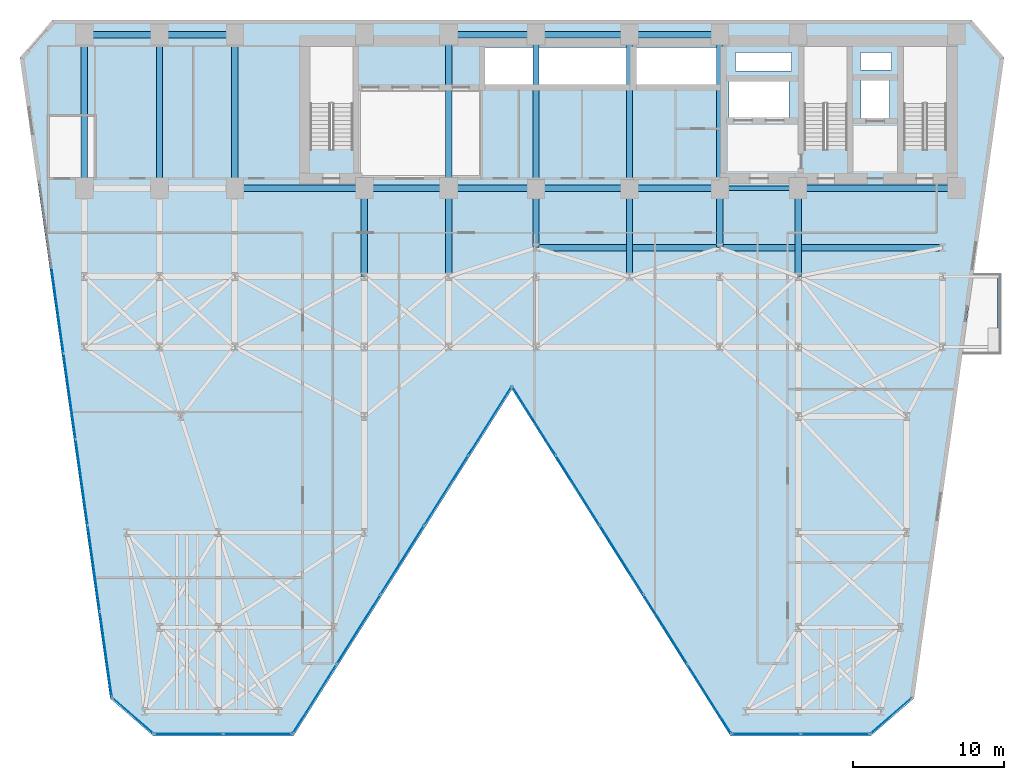
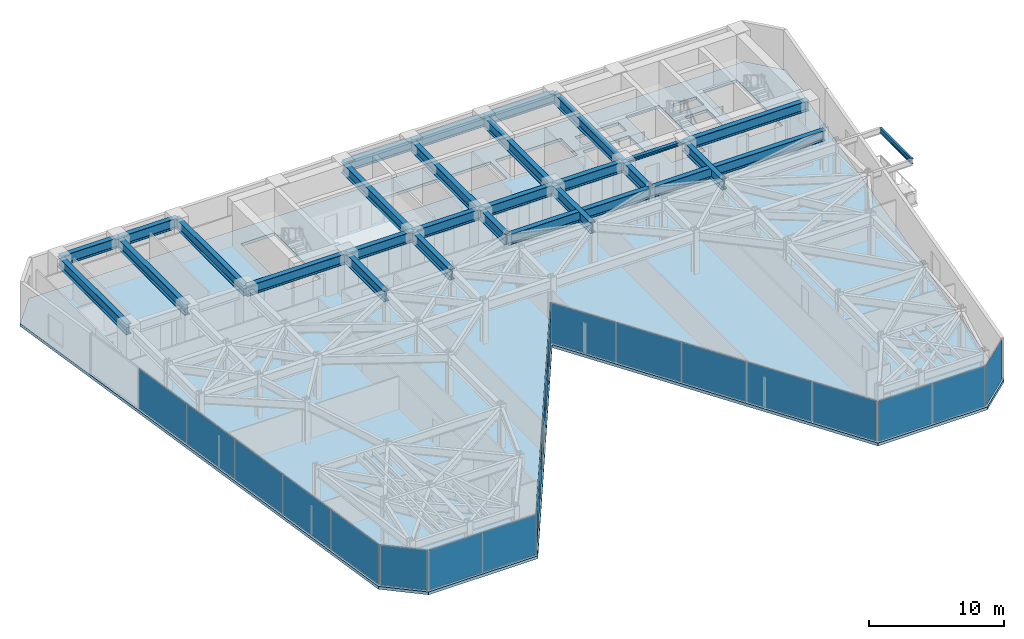
# One storey, part 18 of 24: 28 beams, 21 plates, 1 slab, 7 elements without a shape of their own.
"""IFC4 building model written with IfcOpenShell, lengths in metres."""

from ifc_helpers import new_model, si_unit, direction, frame, origin, origin_2d, place, context, subcontext, project, spatial, polyline, rectangle, i_section, outline, extrude, material, layer, layer_set, material_profile, profile_set, type_object, element, aggregate, save


model = new_model("IFC4")

# Units and contexts
model_context = context("Model", 3, precision=1e-05, world=origin(), true_north=direction((0.0, 1.0)))
body_context = subcontext(model_context, "Body", "Model", "MODEL_VIEW")
ifc_project = project(units=[si_unit("LENGTHUNIT", "METRE"), si_unit("AREAUNIT", "SQUARE_METRE"), si_unit("VOLUMEUNIT", "CUBIC_METRE"), si_unit("PLANEANGLEUNIT", "RADIAN"), si_unit("MASSUNIT", "GRAM", prefix="KILO")], contexts=[model_context])

# Site, building, storey
site_placement = place(None, origin())
site = spatial("IfcSite", under=ifc_project, at=site_placement, CompositionType="ELEMENT")
building_placement = place(site_placement, origin())
building = spatial("IfcBuilding", under=site, at=building_placement, Name="Kravanh Interchange Tower", CompositionType="ELEMENT")
storey_placement = place(building_placement, frame((0.0, 0.0, 45.5)))
storey = spatial("IfcBuildingStorey", under=building, at=storey_placement, Name="L10", CompositionType="ELEMENT", Elevation=45.5)

# Beams
ifc_material_1 = material(Name="Structural Steel S355", Category="steel")
ifc_material_profile_1 = material_profile(ifc_material_1, i_section(OverallWidth=0.41796875, OverallDepth=0.927001953125, WebThickness=0.019287109375, FlangeThickness=0.031982421875, FilletRadius=0.028076171875, at=origin_2d()), Name="W36X231")
ifc_profile_set_1 = profile_set([ifc_material_profile_1], Name="Structural Steel S355")
beam_type_1 = type_object("IfcBeamType", Name="Floor Beam W36X231 Structural Steel S355", PredefinedType="BEAM", material=ifc_profile_set_1)
beam_1_placement = place(storey_placement, frame((66.5, 37.35009765625, 3.276611328125), z_axis=(-1.0, 0.0, 0.0), x_axis=(0.0, -1.0, 0.0)))
element("IfcBeam", 1, at=beam_1_placement, inside=storey, type_object=beam_type_1, Name="L10 Primary Floor Girder 5", PredefinedType="BEAM", context=body_context, shape_type="SweptSolid", body=[
    extrude(i_section(OverallWidth=0.41796875, OverallDepth=0.927001953125, WebThickness=0.019287109375, FlangeThickness=0.031982421875, FilletRadius=0.028076171875, at=origin_2d()), origin(), (0.0, 0.0, 1.0), 10.5),
])
beam_2_placement = place(storey_placement, frame((56.0, 37.35009765625, 3.276611328125), z_axis=(0.0, -1.0, 0.0), x_axis=(1.0, 0.0, 0.0)))
element("IfcBeam", 2, at=beam_2_placement, inside=storey, type_object=beam_type_1, Name="L10 Primary Floor Girder 7", PredefinedType="BEAM", context=body_context, shape_type="SweptSolid", body=[
    extrude(i_section(OverallWidth=0.41796875, OverallDepth=0.927001953125, WebThickness=0.019287109375, FlangeThickness=0.031982421875, FilletRadius=0.028076171875, at=origin_2d()), origin(), (0.0, 0.0, 1.0), 5.85009765625),
])
beam_3_placement = place(storey_placement, frame((50.800048828125, 47.550048828125, 3.276611328125), z_axis=(-1.0, 0.0, 0.0), x_axis=(0.0, -1.0, 0.0)))
element("IfcBeam", 3, at=beam_3_placement, inside=storey, type_object=beam_type_1, Name="L10 Primary Floor Girder 8", PredefinedType="BEAM", context=body_context, shape_type="SweptSolid", body=[
    extrude(i_section(OverallWidth=0.41796875, OverallDepth=0.927001953125, WebThickness=0.019287109375, FlangeThickness=0.031982421875, FilletRadius=0.028076171875, at=origin_2d()), origin(), (0.0, 0.0, 1.0), 6.0),
])
beam_4_placement = place(storey_placement, frame((50.800048828125, 47.550048828125, 3.276611328125), z_axis=(0.0, -1.0, 0.0), x_axis=(1.0, 0.0, 0.0)))
element("IfcBeam", 4, at=beam_4_placement, inside=storey, type_object=beam_type_1, Name="L10 Primary Floor Girder 9", PredefinedType="BEAM", context=body_context, shape_type="SweptSolid", body=[
    extrude(i_section(OverallWidth=0.41796875, OverallDepth=0.927001953125, WebThickness=0.019287109375, FlangeThickness=0.031982421875, FilletRadius=0.028076171875, at=origin_2d()), origin(), (0.0, 0.0, 1.0), 10.199951171875),
])
beam_5_placement = place(storey_placement, frame((50.800048828125, 37.35009765625, 3.276611328125), z_axis=(0.0, -1.0, 0.0), x_axis=(1.0, 0.0, 0.0)))
element("IfcBeam", 5, at=beam_5_placement, inside=storey, type_object=beam_type_1, Name="L10 Primary Floor Girder 10", PredefinedType="BEAM", context=body_context, shape_type="SweptSolid", body=[
    extrude(i_section(OverallWidth=0.41796875, OverallDepth=0.927001953125, WebThickness=0.019287109375, FlangeThickness=0.031982421875, FilletRadius=0.028076171875, at=origin_2d()), origin(), (0.0, 0.0, 1.0), 3.9501953125),
])
beam_6_placement = place(storey_placement, frame((50.800048828125, 37.35009765625, 3.276611328125), z_axis=(-1.0, 0.0, 0.0), x_axis=(0.0, -1.0, 0.0)))
element("IfcBeam", 6, at=beam_6_placement, inside=storey, type_object=beam_type_1, Name="L10 Primary Floor Girder 11", PredefinedType="BEAM", context=body_context, shape_type="SweptSolid", body=[
    extrude(i_section(OverallWidth=0.41796875, OverallDepth=0.927001953125, WebThickness=0.019287109375, FlangeThickness=0.031982421875, FilletRadius=0.028076171875, at=origin_2d()), origin(), (0.0, 0.0, 1.0), 6.0),
])
beam_7_placement = place(storey_placement, frame((44.800048828125, 37.35009765625, 3.276611328125), z_axis=(0.0, -1.0, 0.0), x_axis=(1.0, 0.0, 0.0)))
element("IfcBeam", 7, at=beam_7_placement, inside=storey, type_object=beam_type_1, Name="L10 Primary Floor Girder 12", PredefinedType="BEAM", context=body_context, shape_type="SweptSolid", body=[
    extrude(i_section(OverallWidth=0.41796875, OverallDepth=0.927001953125, WebThickness=0.019287109375, FlangeThickness=0.031982421875, FilletRadius=0.028076171875, at=origin_2d()), origin(), (0.0, 0.0, 1.0), 5.85009765625),
])
beam_8_placement = place(storey_placement, frame((44.800048828125, 37.35009765625, 3.276611328125), z_axis=(-1.0, 0.0, 0.0), x_axis=(0.0, -1.0, 0.0)))
element("IfcBeam", 8, at=beam_8_placement, inside=storey, type_object=beam_type_1, Name="L10 Primary Floor Girder 13", PredefinedType="BEAM", context=body_context, shape_type="SweptSolid", body=[
    extrude(i_section(OverallWidth=0.41796875, OverallDepth=0.927001953125, WebThickness=0.019287109375, FlangeThickness=0.031982421875, FilletRadius=0.028076171875, at=origin_2d()), origin(), (0.0, 0.0, 1.0), 6.199951171875),
])
beam_9_placement = place(storey_placement, frame((44.800048828125, 37.35009765625, 3.276611328125), z_axis=(0.0, 1.0, 0.0), x_axis=(-1.0, 0.0, 0.0)))
element("IfcBeam", 9, at=beam_9_placement, inside=storey, type_object=beam_type_1, Name="L10 Primary Floor Girder 14", PredefinedType="BEAM", context=body_context, shape_type="SweptSolid", body=[
    extrude(i_section(OverallWidth=0.41796875, OverallDepth=0.927001953125, WebThickness=0.019287109375, FlangeThickness=0.031982421875, FilletRadius=0.028076171875, at=origin_2d()), origin(), (0.0, 0.0, 1.0), 10.199951171875),
])
beam_10_placement = place(storey_placement, frame((44.800048828125, 47.550048828125, 3.276611328125), z_axis=(-1.0, 0.0, 0.0), x_axis=(0.0, -1.0, 0.0)))
element("IfcBeam", 10, at=beam_10_placement, inside=storey, type_object=beam_type_1, Name="L10 Primary Floor Girder 15", PredefinedType="BEAM", context=body_context, shape_type="SweptSolid", body=[
    extrude(i_section(OverallWidth=0.41796875, OverallDepth=0.927001953125, WebThickness=0.019287109375, FlangeThickness=0.031982421875, FilletRadius=0.028076171875, at=origin_2d()), origin(), (0.0, 0.0, 1.0), 6.199951171875),
])
beam_11_placement = place(storey_placement, frame((38.60009765625, 37.35009765625, 3.276611328125), z_axis=(0.0, -1.0, 0.0), x_axis=(1.0, 0.0, 0.0)))
element("IfcBeam", 11, at=beam_11_placement, inside=storey, type_object=beam_type_1, Name="L10 Primary Floor Girder 16", PredefinedType="BEAM", context=body_context, shape_type="SweptSolid", body=[
    extrude(i_section(OverallWidth=0.41796875, OverallDepth=0.927001953125, WebThickness=0.019287109375, FlangeThickness=0.031982421875, FilletRadius=0.028076171875, at=origin_2d()), origin(), (0.0, 0.0, 1.0), 3.9501953125),
])
beam_12_placement = place(storey_placement, frame((38.60009765625, 37.35009765625, 3.276611328125), z_axis=(-1.0, 0.0, 0.0), x_axis=(0.0, -1.0, 0.0)))
element("IfcBeam", 12, at=beam_12_placement, inside=storey, type_object=beam_type_1, Name="L10 Primary Floor Girder 17", PredefinedType="BEAM", context=body_context, shape_type="SweptSolid", body=[
    extrude(i_section(OverallWidth=0.41796875, OverallDepth=0.927001953125, WebThickness=0.019287109375, FlangeThickness=0.031982421875, FilletRadius=0.028076171875, at=origin_2d()), origin(), (0.0, 0.0, 1.0), 5.800048828125),
])
beam_13_placement = place(storey_placement, frame((38.60009765625, 37.35009765625, 3.276611328125), z_axis=(0.0, 1.0, 0.0), x_axis=(-1.0, 0.0, 0.0)))
element("IfcBeam", 13, at=beam_13_placement, inside=storey, type_object=beam_type_1, Name="L10 Primary Floor Girder 18", PredefinedType="BEAM", context=body_context, shape_type="SweptSolid", body=[
    extrude(i_section(OverallWidth=0.41796875, OverallDepth=0.927001953125, WebThickness=0.019287109375, FlangeThickness=0.031982421875, FilletRadius=0.028076171875, at=origin_2d()), origin(), (0.0, 0.0, 1.0), 10.199951171875),
])
beam_14_placement = place(storey_placement, frame((38.60009765625, 47.550048828125, 3.276611328125), z_axis=(-1.0, 0.0, 0.0), x_axis=(0.0, -1.0, 0.0)))
element("IfcBeam", 14, at=beam_14_placement, inside=storey, type_object=beam_type_1, Name="L10 Primary Floor Girder 19", PredefinedType="BEAM", context=body_context, shape_type="SweptSolid", body=[
    extrude(i_section(OverallWidth=0.41796875, OverallDepth=0.927001953125, WebThickness=0.019287109375, FlangeThickness=0.031982421875, FilletRadius=0.028076171875, at=origin_2d()), origin(), (0.0, 0.0, 1.0), 5.800048828125),
])
beam_15_placement = place(storey_placement, frame((32.800048828125, 37.35009765625, 3.276611328125), z_axis=(-1.0, 0.0, 0.0), x_axis=(0.0, -1.0, 0.0)))
element("IfcBeam", 15, at=beam_15_placement, inside=storey, type_object=beam_type_1, Name="L10 Primary Floor Girder 20", PredefinedType="BEAM", context=body_context, shape_type="SweptSolid", body=[
    extrude(i_section(OverallWidth=0.41796875, OverallDepth=0.927001953125, WebThickness=0.019287109375, FlangeThickness=0.031982421875, FilletRadius=0.028076171875, at=origin_2d()), origin(), (0.0, 0.0, 1.0), 5.60009765625),
])
beam_16_placement = place(storey_placement, frame((32.800048828125, 37.35009765625, 3.276611328125), z_axis=(0.0, -1.0, 0.0), x_axis=(1.0, 0.0, 0.0)))
element("IfcBeam", 16, at=beam_16_placement, inside=storey, type_object=beam_type_1, Name="L10 Primary Floor Girder 21", PredefinedType="BEAM", context=body_context, shape_type="SweptSolid", body=[
    extrude(i_section(OverallWidth=0.41796875, OverallDepth=0.927001953125, WebThickness=0.019287109375, FlangeThickness=0.031982421875, FilletRadius=0.028076171875, at=origin_2d()), origin(), (0.0, 0.0, 1.0), 5.85009765625),
])
beam_17_placement = place(storey_placement, frame((32.800048828125, 37.35009765625, 3.276611328125), z_axis=(0.0, 1.0, 0.0), x_axis=(-1.0, 0.0, 0.0)))
element("IfcBeam", 17, at=beam_17_placement, inside=storey, type_object=beam_type_1, Name="L10 Primary Floor Girder 22", PredefinedType="BEAM", context=body_context, shape_type="SweptSolid", body=[
    extrude(i_section(OverallWidth=0.41796875, OverallDepth=0.927001953125, WebThickness=0.019287109375, FlangeThickness=0.031982421875, FilletRadius=0.028076171875, at=origin_2d()), origin(), (0.0, 0.0, 1.0), 10.199951171875),
])
beam_18_placement = place(storey_placement, frame((27.199951171875, 37.35009765625, 3.276611328125), z_axis=(0.0, -1.0, 0.0), x_axis=(1.0, 0.0, 0.0)))
element("IfcBeam", 18, at=beam_18_placement, inside=storey, type_object=beam_type_1, Name="L10 Primary Floor Girder 24", PredefinedType="BEAM", context=body_context, shape_type="SweptSolid", body=[
    extrude(i_section(OverallWidth=0.41796875, OverallDepth=0.927001953125, WebThickness=0.019287109375, FlangeThickness=0.031982421875, FilletRadius=0.028076171875, at=origin_2d()), origin(), (0.0, 0.0, 1.0), 5.85009765625),
])
beam_19_placement = place(storey_placement, frame((27.199951171875, 37.35009765625, 3.276611328125), z_axis=(-1.0, 0.0, 0.0), x_axis=(0.0, -1.0, 0.0)))
element("IfcBeam", 19, at=beam_19_placement, inside=storey, type_object=beam_type_1, Name="L10 Primary Floor Girder 25", PredefinedType="BEAM", context=body_context, shape_type="SweptSolid", body=[
    extrude(i_section(OverallWidth=0.41796875, OverallDepth=0.927001953125, WebThickness=0.019287109375, FlangeThickness=0.031982421875, FilletRadius=0.028076171875, at=origin_2d()), origin(), (0.0, 0.0, 1.0), 8.599853515625),
])
beam_20_placement = place(storey_placement, frame((18.60009765625, 37.35009765625, 3.276611328125), z_axis=(0.0, 1.0, 0.0), x_axis=(-1.0, 0.0, 0.0)))
element("IfcBeam", 20, at=beam_20_placement, inside=storey, type_object=beam_type_1, Name="L10 Primary Floor Girder 30", PredefinedType="BEAM", context=body_context, shape_type="SweptSolid", body=[
    extrude(i_section(OverallWidth=0.41796875, OverallDepth=0.927001953125, WebThickness=0.019287109375, FlangeThickness=0.031982421875, FilletRadius=0.028076171875, at=origin_2d()), origin(), (0.0, 0.0, 1.0), 10.199951171875),
])
beam_21_placement = place(storey_placement, frame((18.60009765625, 47.550048828125, 3.276611328125), z_axis=(-1.0, 0.0, 0.0), x_axis=(0.0, -1.0, 0.0)))
element("IfcBeam", 21, at=beam_21_placement, inside=storey, type_object=beam_type_1, Name="L10 Primary Floor Girder 31", PredefinedType="BEAM", context=body_context, shape_type="SweptSolid", body=[
    extrude(i_section(OverallWidth=0.41796875, OverallDepth=0.927001953125, WebThickness=0.019287109375, FlangeThickness=0.031982421875, FilletRadius=0.028076171875, at=origin_2d()), origin(), (0.0, 0.0, 1.0), 5.0),
])
beam_22_placement = place(storey_placement, frame((13.60009765625, 37.35009765625, 3.276611328125), z_axis=(0.0, 1.0, 0.0), x_axis=(-1.0, 0.0, 0.0)))
element("IfcBeam", 22, at=beam_22_placement, inside=storey, type_object=beam_type_1, Name="L10 Primary Floor Girder 34", PredefinedType="BEAM", context=body_context, shape_type="SweptSolid", body=[
    extrude(i_section(OverallWidth=0.41796875, OverallDepth=0.927001953125, WebThickness=0.019287109375, FlangeThickness=0.031982421875, FilletRadius=0.028076171875, at=origin_2d()), origin(), (0.0, 0.0, 1.0), 10.199951171875),
])
beam_23_placement = place(storey_placement, frame((13.60009765625, 47.550048828125, 3.276611328125), z_axis=(-1.0, 0.0, 0.0), x_axis=(0.0, -1.0, 0.0)))
element("IfcBeam", 23, at=beam_23_placement, inside=storey, type_object=beam_type_1, Name="L10 Primary Floor Girder 35", PredefinedType="BEAM", context=body_context, shape_type="SweptSolid", body=[
    extrude(i_section(OverallWidth=0.41796875, OverallDepth=0.927001953125, WebThickness=0.019287109375, FlangeThickness=0.031982421875, FilletRadius=0.028076171875, at=origin_2d()), origin(), (0.0, 0.0, 1.0), 5.0),
])
beam_24_placement = place(storey_placement, frame((8.60009765625, 37.35009765625, 3.276611328125), z_axis=(0.0, 1.0, 0.0), x_axis=(-1.0, 0.0, 0.0)))
element("IfcBeam", 24, at=beam_24_placement, inside=storey, type_object=beam_type_1, Name="L10 Primary Floor Girder 37", PredefinedType="BEAM", context=body_context, shape_type="SweptSolid", body=[
    extrude(i_section(OverallWidth=0.41796875, OverallDepth=0.927001953125, WebThickness=0.019287109375, FlangeThickness=0.031982421875, FilletRadius=0.028076171875, at=origin_2d()), origin(), (0.0, 0.0, 1.0), 10.199951171875),
])
beam_25_placement = place(storey_placement, frame((38.60009765625, 33.39990234375, 3.276611328125), z_axis=(1.0, 0.0, 0.0), x_axis=(0.0, 1.0, 0.0)))
element("IfcBeam", 25, at=beam_25_placement, inside=storey, type_object=beam_type_1, Name="L10 Primary Floor Girder 145", PredefinedType="BEAM", context=body_context, shape_type="SweptSolid", body=[
    extrude(i_section(OverallWidth=0.41796875, OverallDepth=0.927001953125, WebThickness=0.019287109375, FlangeThickness=0.031982421875, FilletRadius=0.028076171875, at=origin_2d()), origin(), (0.0, 0.0, 1.0), 12.199951171875),
])
beam_26_placement = place(storey_placement, frame((50.800048828125, 33.39990234375, 3.276611328125), z_axis=(1.0, 0.0, 0.0), x_axis=(0.0, 1.0, 0.0)))
element("IfcBeam", 26, at=beam_26_placement, inside=storey, type_object=beam_type_1, Name="L10 Primary Floor Girder 146", PredefinedType="BEAM", context=body_context, shape_type="SweptSolid", body=[
    extrude(i_section(OverallWidth=0.41796875, OverallDepth=0.927001953125, WebThickness=0.019287109375, FlangeThickness=0.031982421875, FilletRadius=0.028076171875, at=origin_2d()), origin(), (0.0, 0.0, 1.0), 14.800048828125),
])
ifc_material_2 = material(Name="Structural Steel S355", Category="steel")
ifc_material_profile_2 = material_profile(ifc_material_2, i_section(OverallWidth=0.18994140625, OverallDepth=0.45703125, WebThickness=0.009033203125, FlangeThickness=0.014404296875, FilletRadius=0.01806640625, at=origin_2d()), Name="W18X50")
ifc_profile_set_2 = profile_set([ifc_material_profile_2], Name="Structural Steel S355")
beam_type_2 = type_object("IfcBeamType", Name="Floor Joist W18X50 Structural Steel S355", PredefinedType="JOIST", material=ifc_profile_set_2)
beam_27_placement = place(storey_placement, frame((69.330078125, 26.800048828125, 3.511474609375), z_axis=(0.0, 1.0, 0.0), x_axis=(-1.0, 0.0, 0.0)))
element("IfcBeam", 27, at=beam_27_placement, inside=storey, type_object=beam_type_2, Name="L10 Balcony Edge Tie Beam E", PredefinedType="JOIST", context=body_context, shape_type="SweptSolid", body=[
    extrude(i_section(OverallWidth=0.18994140625, OverallDepth=0.45703125, WebThickness=0.009033203125, FlangeThickness=0.014404296875, FilletRadius=0.01806640625, at=origin_2d()), origin(), (0.0, 0.0, 1.0), 4.699951171875),
])
ifc_material_3 = material(Name="Structural Steel S355", Category="steel")
ifc_material_profile_3 = material_profile(ifc_material_3, i_section(OverallWidth=0.304931640625, OverallDepth=0.306884765625, WebThickness=0.010009765625, FlangeThickness=0.015380859375, FilletRadius=0.014892578125, at=origin_2d()), Name="W12X65")
ifc_profile_set_3 = profile_set([ifc_material_profile_3], Name="Structural Steel S355")
beam_type_3 = type_object("IfcBeamType", Name="Floor Lintel W12X65 Structural Steel S355", PredefinedType="LINTEL", material=ifc_profile_set_3)
beam_28_placement = place(storey_placement, frame((50.800048828125, 37.35009765625, 3.58642578125), z_axis=(1.0, 0.0, 0.0), x_axis=(0.0, 1.0, 0.0)))
element("IfcBeam", 28, at=beam_28_placement, inside=storey, type_object=beam_type_3, Name="L10 Core Coupling Lintel 1", PredefinedType="LINTEL", context=body_context, shape_type="SweptSolid", body=[
    extrude(i_section(OverallWidth=0.304931640625, OverallDepth=0.306884765625, WebThickness=0.010009765625, FlangeThickness=0.015380859375, FilletRadius=0.014892578125, at=origin_2d()), origin(), (0.0, 0.0, 1.0), 5.199951171875),
])

# Slab
ifc_material_4 = material(Name="Concrete C50/60", Category="concrete")
ifc_layer_1 = layer(ifc_material_4, 0.260009765625)
ifc_layer_set_1 = layer_set([ifc_layer_1], Name="Composite Floor Slab Concrete C50/60 260mm")
slab_type = type_object("IfcSlabType", Name="Composite Floor Slab Concrete C50/60 260mm", PredefinedType="FLOOR", material=ifc_layer_set_1)
slab_placement = place(storey_placement, frame((0.0, 0.0, -0.260009765625)))
element("IfcSlab", 29, at=slab_placement, inside=storey, type_object=slab_type, Name="L10 Structural Floor Slab", PredefinedType="FLOOR", context=body_context, shape_type="SweptSolid", body=[
    extrude(outline(polyline([(10.327880859375, 3.4755859375), (13.17578125, 1.0), (22.5, 1.0), (37.0, 24.0), (51.5, 1.0), (60.82421875, 1.0), (63.672119140625, 3.4755859375), (69.652099609375, 46.0244140625), (67.5, 48.5), (6.5, 48.5), (4.347900390625, 46.0244140625), (10.327880859375, 3.4755859375)]), holes=[polyline([(65.85009765625, 39.925048828125), (65.85009765625, 46.75), (63.0, 46.75), (63.0, 39.925048828125), (65.85009765625, 39.925048828125)]), polyline([(59.25, 39.925048828125), (59.25, 46.75), (56.39990234375, 46.75), (56.39990234375, 39.925048828125), (59.25, 39.925048828125)]), polyline([(26.449951171875, 39.925048828125), (26.449951171875, 46.75), (23.60009765625, 46.75), (23.60009765625, 39.925048828125), (26.449951171875, 39.925048828125)]), polyline([(35.179931640625, 44.219970703125), (44.840087890625, 44.219970703125), (44.840087890625, 46.699951171875), (35.179931640625, 46.699951171875), (35.179931640625, 44.219970703125)]), polyline([(45.239990234375, 44.219970703125), (50.840087890625, 44.219970703125), (50.840087890625, 46.699951171875), (45.239990234375, 46.699951171875), (45.239990234375, 44.219970703125)]), polyline([(51.419921875, 42.02001953125), (55.3798828125, 42.02001953125), (55.3798828125, 44.47998046875), (51.419921875, 44.47998046875), (51.419921875, 42.02001953125)]), polyline([(60.179931640625, 41.97998046875), (62.06005859375, 41.97998046875), (62.06005859375, 44.52001953125), (60.179931640625, 44.52001953125), (60.179931640625, 41.97998046875)]), polyline([(60.14990234375, 45.199951171875), (62.199951171875, 45.199951171875), (62.199951171875, 46.35009765625), (60.14990234375, 46.35009765625), (60.14990234375, 45.199951171875)]), polyline([(51.85009765625, 45.14990234375), (55.550048828125, 45.14990234375), (55.550048828125, 46.35009765625), (51.85009765625, 46.35009765625), (51.85009765625, 45.14990234375)])]), origin(), (0.0, 0.0, 1.0), 0.260009765625),
])

# Curtain wall, plates
ifc_material_5 = material(Name="Anodised Bronze Aluminium", Category="aluminium")
ifc_layer_2 = layer(ifc_material_5, 0.179931640625)
ifc_layer_set_2 = layer_set([ifc_layer_2], Name="Unitised Curtain Wall System CW-Z1 Lower Office")
curtain_wall_type = type_object("IfcCurtainWallType", Name="Unitised Curtain Wall System CW-Z1 Lower Office", PredefinedType="NOTDEFINED", material=ifc_layer_set_2)
curtain_wall_1_placement = place(storey_placement, origin())
curtain_wall_1 = element("IfcCurtainWall", 30, at=curtain_wall_1_placement, inside=storey, type_object=curtain_wall_type, Name="L10 Unitised Curtain Wall CW-L10-01", PredefinedType="NOTDEFINED")
ifc_material_6 = material(Name="Low-E Laminated Architectural Glass", Category="glass")
ifc_layer_3 = layer(ifc_material_6, 0.028076171875)
ifc_layer_set_3 = layer_set([ifc_layer_3], Name="Solar-Control Double Glazing 28mm")
plate_type = type_object("IfcPlateType", Name="Solar-Control Double Glazing 28mm", PredefinedType="CURTAIN_PANEL", material=ifc_layer_set_3)
plate_1_placement = place(storey_placement, frame((10.03662109375, 6.409423828125, 0.06005859375), z_axis=(0.0, 0.0, 1.0), x_axis=(-0.139176538065, 0.990267585682, 0.0)))
plate_1 = element("IfcPlate", 31, at=plate_1_placement, type_object=plate_type, Name="CW-Z1 panel 1.1", PredefinedType="CURTAIN_PANEL", context=body_context, shape_type="SweptSolid", body=[
    extrude(rectangle(XDim=5.66162109375, YDim=0.028076171875, at=origin_2d()), origin(), (0.0, 0.0, 1.0), 3.6201171875),
])
plate_2_placement = place(storey_placement, frame((9.236572265625, 12.1025390625, 0.06005859375), z_axis=(0.0, 0.0, 1.0), x_axis=(-0.139176538065, 0.990267585682, 0.0)))
plate_2 = element("IfcPlate", 32, at=plate_2_placement, type_object=plate_type, Name="CW-Z1 panel 2.1", PredefinedType="CURTAIN_PANEL", context=body_context, shape_type="SweptSolid", body=[
    extrude(rectangle(XDim=5.69677734375, YDim=0.028076171875, at=origin_2d()), origin(), (0.0, 0.0, 1.0), 3.6201171875),
])
plate_3_placement = place(storey_placement, frame((8.433837890625, 17.813232421875, 0.06005859375), z_axis=(0.0, 0.0, 1.0), x_axis=(-0.139176538065, 0.990267585682, 0.0)))
plate_3 = element("IfcPlate", 33, at=plate_3_placement, type_object=plate_type, Name="CW-Z1 panel 3.1", PredefinedType="CURTAIN_PANEL", context=body_context, shape_type="SweptSolid", body=[
    extrude(rectangle(XDim=5.69677734375, YDim=0.028076171875, at=origin_2d()), origin(), (0.0, 0.0, 1.0), 3.6201171875),
])
plate_4_placement = place(storey_placement, frame((7.63134765625, 23.523681640625, 0.06005859375), z_axis=(0.0, 0.0, 1.0), x_axis=(-0.139176538065, 0.990267585682, 0.0)))
plate_4 = element("IfcPlate", 34, at=plate_4_placement, type_object=plate_type, Name="CW-Z1 panel 4.1", PredefinedType="CURTAIN_PANEL", context=body_context, shape_type="SweptSolid", body=[
    extrude(rectangle(XDim=5.69677734375, YDim=0.028076171875, at=origin_2d()), origin(), (0.0, 0.0, 1.0), 3.6201171875),
])
plate_5_placement = place(storey_placement, frame((6.828857421875, 29.234130859375, 0.06005859375), z_axis=(0.0, 0.0, 1.0), x_axis=(-0.139176538065, 0.990267585682, 0.0)))
plate_5 = element("IfcPlate", 35, at=plate_5_placement, type_object=plate_type, Name="CW-Z1 panel 5.1", PredefinedType="CURTAIN_PANEL", context=body_context, shape_type="SweptSolid", body=[
    extrude(rectangle(XDim=5.69677734375, YDim=0.028076171875, at=origin_2d()), origin(), (0.0, 0.0, 1.0), 3.6201171875),
])
aggregate(curtain_wall_1, [plate_1, plate_2, plate_3, plate_4, plate_5])

# Curtain wall, plate
curtain_wall_2_placement = place(storey_placement, origin())
curtain_wall_2 = element("IfcCurtainWall", 36, at=curtain_wall_2_placement, inside=storey, type_object=curtain_wall_type, Name="L10 Unitised Curtain Wall CW-L10-02", PredefinedType="NOTDEFINED")
plate_6_placement = place(storey_placement, frame((62.16943359375, 2.328369140625, 0.06005859375), z_axis=(0.0, 0.0, 1.0), x_axis=(-0.754708368999, -0.656060422341, 0.0)))
plate_6 = element("IfcPlate", 37, at=plate_6_placement, type_object=plate_type, Name="CW-Z1 panel 1.1", PredefinedType="CURTAIN_PANEL", context=body_context, shape_type="SweptSolid", body=[
    extrude(rectangle(XDim=3.543701171875, YDim=0.028076171875, at=origin_2d()), origin(), (0.0, 0.0, 1.0), 3.6201171875),
])
aggregate(curtain_wall_2, [plate_6])

# Curtain wall, plates
curtain_wall_3_placement = place(storey_placement, origin())
curtain_wall_3 = element("IfcCurtainWall", 38, at=curtain_wall_3_placement, inside=storey, type_object=curtain_wall_type, Name="L10 Unitised Curtain Wall CW-L10-03", PredefinedType="NOTDEFINED")
plate_7_placement = place(storey_placement, frame((58.45849609375, 1.1201171875, 0.06005859375), z_axis=(0.0, 0.0, 1.0), x_axis=(-1.0, 0.0, 0.0)))
plate_7 = element("IfcPlate", 39, at=plate_7_placement, type_object=plate_type, Name="CW-Z1 panel 1.1", PredefinedType="CURTAIN_PANEL", context=body_context, shape_type="SweptSolid", body=[
    extrude(rectangle(XDim=4.501708984375, YDim=0.028076171875, at=origin_2d()), origin(), (0.0, 0.0, 1.0), 3.6201171875),
])
plate_8_placement = place(storey_placement, frame((53.886962890625, 1.1201171875, 0.06005859375), z_axis=(0.0, 0.0, 1.0), x_axis=(-1.0, 0.0, 0.0)))
plate_8 = element("IfcPlate", 40, at=plate_8_placement, type_object=plate_type, Name="CW-Z1 panel 2.1", PredefinedType="CURTAIN_PANEL", context=body_context, shape_type="SweptSolid", body=[
    extrude(rectangle(XDim=4.501708984375, YDim=0.028076171875, at=origin_2d()), origin(), (0.0, 0.0, 1.0), 3.6201171875),
])
aggregate(curtain_wall_3, [plate_7, plate_8])

curtain_wall_4_placement = place(storey_placement, origin())
curtain_wall_4 = element("IfcCurtainWall", 41, at=curtain_wall_4_placement, inside=storey, type_object=curtain_wall_type, Name="L10 Unitised Curtain Wall CW-L10-04", PredefinedType="NOTDEFINED")
plate_9_placement = place(storey_placement, frame((50.100341796875, 3.4453125, 0.06005859375), z_axis=(0.0, 0.0, 1.0), x_axis=(-0.53330103728, 0.845925530786, 0.0)))
plate_9 = element("IfcPlate", 42, at=plate_9_placement, type_object=plate_type, Name="CW-Z1 panel 1.1", PredefinedType="CURTAIN_PANEL", context=body_context, shape_type="SweptSolid", body=[
    extrude(rectangle(XDim=5.357666015625, YDim=0.028076171875, at=origin_2d()), origin(), (0.0, 0.0, 1.0), 3.6201171875),
])
plate_10_placement = place(storey_placement, frame((47.1962890625, 8.051513671875, 0.06005859375), z_axis=(0.0, 0.0, 1.0), x_axis=(-0.53330103728, 0.845925530786, 0.0)))
plate_10 = element("IfcPlate", 43, at=plate_10_placement, type_object=plate_type, Name="CW-Z1 panel 2.1", PredefinedType="CURTAIN_PANEL", context=body_context, shape_type="SweptSolid", body=[
    extrude(rectangle(XDim=5.392578125, YDim=0.028076171875, at=origin_2d()), origin(), (0.0, 0.0, 1.0), 3.6201171875),
])
plate_11_placement = place(storey_placement, frame((44.283203125, 12.672607421875, 0.06005859375), z_axis=(0.0, 0.0, 1.0), x_axis=(-0.53330103728, 0.845925530786, 0.0)))
plate_11 = element("IfcPlate", 44, at=plate_11_placement, type_object=plate_type, Name="CW-Z1 panel 3.1", PredefinedType="CURTAIN_PANEL", context=body_context, shape_type="SweptSolid", body=[
    extrude(rectangle(XDim=5.392578125, YDim=0.028076171875, at=origin_2d()), origin(), (0.0, 0.0, 1.0), 3.6201171875),
])
plate_12_placement = place(storey_placement, frame((41.369873046875, 17.29345703125, 0.06005859375), z_axis=(0.0, 0.0, 1.0), x_axis=(-0.53330103728, 0.845925530786, 0.0)))
plate_12 = element("IfcPlate", 45, at=plate_12_placement, type_object=plate_type, Name="CW-Z1 panel 4.1", PredefinedType="CURTAIN_PANEL", context=body_context, shape_type="SweptSolid", body=[
    extrude(rectangle(XDim=5.392578125, YDim=0.028076171875, at=origin_2d()), origin(), (0.0, 0.0, 1.0), 3.6201171875),
])
plate_13_placement = place(storey_placement, frame((38.466064453125, 21.899658203125, 0.06005859375), z_axis=(0.0, 0.0, 1.0), x_axis=(-0.53330103728, 0.845925530786, 0.0)))
plate_13 = element("IfcPlate", 46, at=plate_13_placement, type_object=plate_type, Name="CW-Z1 panel 5.1", PredefinedType="CURTAIN_PANEL", context=body_context, shape_type="SweptSolid", body=[
    extrude(rectangle(XDim=5.357666015625, YDim=0.028076171875, at=origin_2d()), origin(), (0.0, 0.0, 1.0), 3.6201171875),
])
aggregate(curtain_wall_4, [plate_9, plate_10, plate_11, plate_12, plate_13])

curtain_wall_5_placement = place(storey_placement, origin())
curtain_wall_5 = element("IfcCurtainWall", 47, at=curtain_wall_5_placement, inside=storey, type_object=curtain_wall_type, Name="L10 Unitised Curtain Wall CW-L10-05", PredefinedType="NOTDEFINED")
plate_14_placement = place(storey_placement, frame((35.533935546875, 21.899658203125, 0.06005859375), z_axis=(0.0, 0.0, 1.0), x_axis=(-0.53330103728, -0.845925530786, 0.0)))
plate_14 = element("IfcPlate", 48, at=plate_14_placement, type_object=plate_type, Name="CW-Z1 panel 1.1", PredefinedType="CURTAIN_PANEL", context=body_context, shape_type="SweptSolid", body=[
    extrude(rectangle(XDim=5.357666015625, YDim=0.028076171875, at=origin_2d()), origin(), (0.0, 0.0, 1.0), 3.6201171875),
])
plate_15_placement = place(storey_placement, frame((32.630126953125, 17.29345703125, 0.06005859375), z_axis=(0.0, 0.0, 1.0), x_axis=(-0.53330103728, -0.845925530786, 0.0)))
plate_15 = element("IfcPlate", 49, at=plate_15_placement, type_object=plate_type, Name="CW-Z1 panel 2.1", PredefinedType="CURTAIN_PANEL", context=body_context, shape_type="SweptSolid", body=[
    extrude(rectangle(XDim=5.392578125, YDim=0.028076171875, at=origin_2d()), origin(), (0.0, 0.0, 1.0), 3.6201171875),
])
plate_16_placement = place(storey_placement, frame((29.716796875, 12.672607421875, 0.06005859375), z_axis=(0.0, 0.0, 1.0), x_axis=(-0.53330103728, -0.845925530786, 0.0)))
plate_16 = element("IfcPlate", 50, at=plate_16_placement, type_object=plate_type, Name="CW-Z1 panel 3.1", PredefinedType="CURTAIN_PANEL", context=body_context, shape_type="SweptSolid", body=[
    extrude(rectangle(XDim=5.392578125, YDim=0.028076171875, at=origin_2d()), origin(), (0.0, 0.0, 1.0), 3.6201171875),
])
plate_17_placement = place(storey_placement, frame((26.8037109375, 8.051513671875, 0.06005859375), z_axis=(0.0, 0.0, 1.0), x_axis=(-0.53330103728, -0.845925530786, 0.0)))
plate_17 = element("IfcPlate", 51, at=plate_17_placement, type_object=plate_type, Name="CW-Z1 panel 4.1", PredefinedType="CURTAIN_PANEL", context=body_context, shape_type="SweptSolid", body=[
    extrude(rectangle(XDim=5.392578125, YDim=0.028076171875, at=origin_2d()), origin(), (0.0, 0.0, 1.0), 3.6201171875),
])
plate_18_placement = place(storey_placement, frame((23.899658203125, 3.4453125, 0.06005859375), z_axis=(0.0, 0.0, 1.0), x_axis=(-0.53330103728, -0.845925530786, 0.0)))
plate_18 = element("IfcPlate", 52, at=plate_18_placement, type_object=plate_type, Name="CW-Z1 panel 5.1", PredefinedType="CURTAIN_PANEL", context=body_context, shape_type="SweptSolid", body=[
    extrude(rectangle(XDim=5.357666015625, YDim=0.028076171875, at=origin_2d()), origin(), (0.0, 0.0, 1.0), 3.6201171875),
])
aggregate(curtain_wall_5, [plate_14, plate_15, plate_16, plate_17, plate_18])

curtain_wall_6_placement = place(storey_placement, origin())
curtain_wall_6 = element("IfcCurtainWall", 53, at=curtain_wall_6_placement, inside=storey, type_object=curtain_wall_type, Name="L10 Unitised Curtain Wall CW-L10-06", PredefinedType="NOTDEFINED")
plate_19_placement = place(storey_placement, frame((20.113037109375, 1.1201171875, 0.06005859375), z_axis=(0.0, 0.0, 1.0), x_axis=(-1.0, 0.0, 0.0)))
plate_19 = element("IfcPlate", 54, at=plate_19_placement, type_object=plate_type, Name="CW-Z1 panel 1.1", PredefinedType="CURTAIN_PANEL", context=body_context, shape_type="SweptSolid", body=[
    extrude(rectangle(XDim=4.501708984375, YDim=0.028076171875, at=origin_2d()), origin(), (0.0, 0.0, 1.0), 3.6201171875),
])
plate_20_placement = place(storey_placement, frame((15.54150390625, 1.1201171875, 0.06005859375), z_axis=(0.0, 0.0, 1.0), x_axis=(-1.0, 0.0, 0.0)))
plate_20 = element("IfcPlate", 55, at=plate_20_placement, type_object=plate_type, Name="CW-Z1 panel 2.1", PredefinedType="CURTAIN_PANEL", context=body_context, shape_type="SweptSolid", body=[
    extrude(rectangle(XDim=4.501708984375, YDim=0.028076171875, at=origin_2d()), origin(), (0.0, 0.0, 1.0), 3.6201171875),
])
aggregate(curtain_wall_6, [plate_19, plate_20])

# Curtain wall, plate
curtain_wall_7_placement = place(storey_placement, origin())
curtain_wall_7 = element("IfcCurtainWall", 56, at=curtain_wall_7_placement, inside=storey, type_object=curtain_wall_type, Name="L10 Unitised Curtain Wall CW-L10-07", PredefinedType="NOTDEFINED")
plate_21_placement = place(storey_placement, frame((11.83056640625, 2.328369140625, 0.06005859375), z_axis=(0.0, 0.0, 1.0), x_axis=(-0.754708368999, 0.656060422341, 0.0)))
plate_21 = element("IfcPlate", 57, at=plate_21_placement, type_object=plate_type, Name="CW-Z1 panel 1.1", PredefinedType="CURTAIN_PANEL", context=body_context, shape_type="SweptSolid", body=[
    extrude(rectangle(XDim=3.543701171875, YDim=0.028076171875, at=origin_2d()), origin(), (0.0, 0.0, 1.0), 3.6201171875),
])
aggregate(curtain_wall_7, [plate_21])

save(model, "model.ifc")
